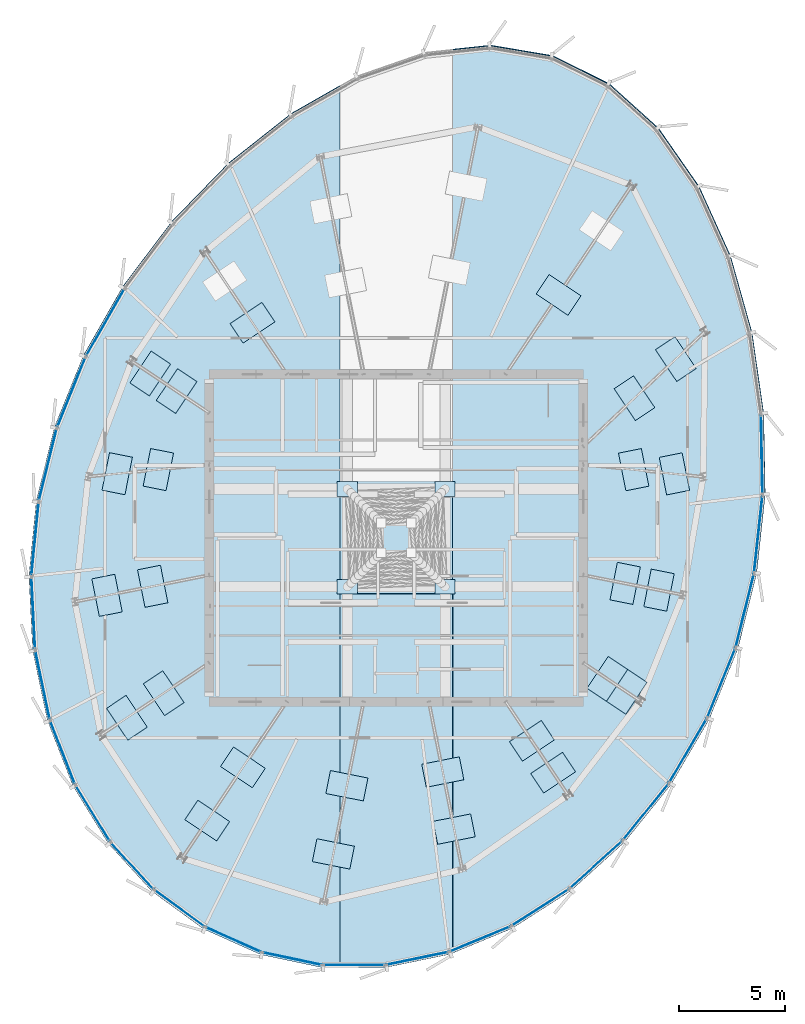
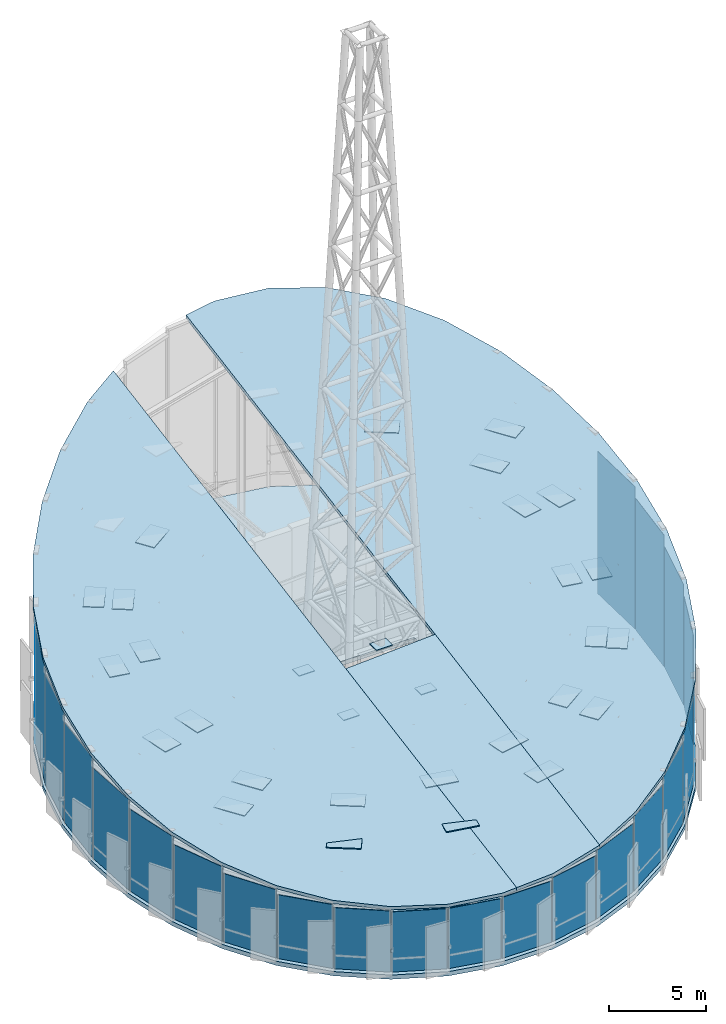
# One storey, part 24 of 36: 53 plates, 4 slabs, 23 elements without a shape of their own.
"""IFC4 building model written with IfcOpenShell, lengths in metres."""

from ifc_helpers import new_model, si_unit, direction, frame, origin, origin_2d, place, context, subcontext, project, spatial, polyline, rectangle, outline, extrude, source, transform, mapped, material, layer, layer_set, type_object, element, aggregate, save


model = new_model("IFC4")

# Units and contexts
model_context = context("Model", 3, precision=1e-05, world=origin(), true_north=direction((0.0, 1.0)))
body_context = subcontext(model_context, "Body", "Model", "MODEL_VIEW")
ifc_project = project(units=[si_unit("LENGTHUNIT", "METRE"), si_unit("AREAUNIT", "SQUARE_METRE"), si_unit("VOLUMEUNIT", "CUBIC_METRE"), si_unit("PLANEANGLEUNIT", "RADIAN"), si_unit("MASSUNIT", "GRAM", prefix="KILO"), si_unit("THERMODYNAMICTEMPERATUREUNIT", "KELVIN")], contexts=[model_context])

# Site, building, storey
site_placement = place(None, origin())
site = spatial("IfcSite", under=ifc_project, at=site_placement, CompositionType="ELEMENT")
building_placement = place(site_placement, origin())
building = spatial("IfcBuilding", under=site, at=building_placement, Name="Kethvar Cultural Tower", CompositionType="ELEMENT")
storey_placement = place(building_placement, frame((0.0, 0.0, 324.300048828125)))
storey = spatial("IfcBuildingStorey", under=building, at=storey_placement, Name="L86", CompositionType="ELEMENT", Elevation=324.300048828125)

# Slabs
ifc_material_1 = material(Name="Concrete C45/55", Category="concrete")
ifc_layer_1 = layer(ifc_material_1, 0.264892578125, Name="Concrete C45/55", Category="concrete")
ifc_layer_set_1 = layer_set([ifc_layer_1], Name="Concrete C45/55 (265 mm)")
slab_type_1 = type_object("IfcSlabType", Name="SL-CRN-265", PredefinedType="FLOOR", material=ifc_layer_set_1)
slab_1_placement = place(storey_placement, frame((0.0, 0.0, -0.26513671875)))
element("IfcSlab", 1, at=slab_1_placement, inside=storey, type_object=slab_type_1, Name="L86 Structural Floor Slab", PredefinedType="FLOOR", context=body_context, shape_type="SweptSolid", body=[
    extrude(outline(polyline([(54.158935546875, 50.44873046875), (51.234130859375, 50.943359375), (48.135498046875, 50.614013671875), (44.970947265625, 49.513916015625), (41.85693359375, 47.73828125), (38.910400390625, 45.410400390625), (36.2412109375, 42.6630859375), (33.943603515625, 39.62060546875), (32.0908203125, 36.385498046875), (30.72802734375, 33.022216796875), (29.8662109375, 29.538330078125), (29.5185546875, 26.001708984375), (29.6962890625, 22.519775390625), (30.3935546875, 19.1982421875), (31.58935546875, 16.13818359375), (33.247314453125, 13.432373046875), (35.317138671875, 11.1630859375), (37.73583984375, 9.3994140625), (40.429931640625, 8.194580078125), (43.3173828125, 7.585693359375), (46.310791015625, 7.591064453125), (49.3193359375, 8.210205078125), (52.2509765625, 9.4248046875), (55.01708984375, 11.197509765625), (57.53369140625, 13.474853515625), (59.723876953125, 16.1875), (61.521484375, 19.252685546875), (62.871826171875, 22.577880859375), (63.746337890625, 26.099853515625), (64.14892578125, 29.806396484375), (64.07861328125, 33.6181640625), (63.533935546875, 37.409912109375), (62.5185546875, 41.02490234375), (61.042724609375, 44.291748046875), (59.12939453125, 47.0419921875), (56.81591796875, 49.129638671875), (54.158935546875, 50.44873046875)]), holes=[polyline([(38.489990234375, 21.85009765625), (38.489990234375, 27.699951171875), (41.35009765625, 27.699951171875), (41.35009765625, 21.85009765625), (38.489990234375, 21.85009765625)]), polyline([(52.25, 21.85009765625), (52.25, 27.699951171875), (55.110107421875, 27.699951171875), (55.110107421875, 21.85009765625), (52.25, 21.85009765625)]), polyline([(53.89990234375, 32.14990234375), (48.050048828125, 32.14990234375), (48.050048828125, 35.010009765625), (53.89990234375, 35.010009765625), (53.89990234375, 32.14990234375)]), polyline([(38.550048828125, 30.89990234375), (41.050048828125, 30.89990234375), (41.050048828125, 28.10009765625), (38.550048828125, 28.10009765625), (38.550048828125, 30.89990234375)]), polyline([(52.550048828125, 30.89990234375), (55.050048828125, 30.89990234375), (55.050048828125, 28.10009765625), (52.550048828125, 28.10009765625), (52.550048828125, 30.89990234375)]), polyline([(46.050048828125, 21.35009765625), (46.75, 21.35009765625), (46.75, 20.60009765625), (46.050048828125, 20.60009765625), (46.050048828125, 21.35009765625)]), polyline([(46.85009765625, 21.35009765625), (47.550048828125, 21.35009765625), (47.550048828125, 20.60009765625), (46.85009765625, 20.60009765625), (46.85009765625, 21.35009765625)])]), origin(), (0.0, 0.0, 1.0), 0.26513671875),
])
ifc_material_2 = material(Name="Concrete C40/50", Category="concrete")
ifc_layer_2 = layer(ifc_material_2, 0.235107421875, Name="Concrete C40/50", Category="concrete")
ifc_layer_set_2 = layer_set([ifc_layer_2], Name="Concrete C40/50 (235 mm)")
slab_type_2 = type_object("IfcSlabType", Name="SL-ROOF-SLOP", PredefinedType="ROOF", material=ifc_layer_set_2)
slab_2_placement = place(storey_placement, frame((51.234130859375, 50.943359375, 12.37548828125), z_axis=(-0.056223727483, -0.173009910396, 0.983314020734), x_axis=(0.985638160697, -0.166694122931, 0.027027496315)))
element("IfcSlab", 2, at=slab_2_placement, inside=storey, type_object=slab_type_2, Name="Crown Sloped Glass-Clad Roof Sector E", PredefinedType="ROOF", context=body_context, shape_type="SweptSolid", body=[
    extrude(outline(polyline([(0.0, 0.0), (2.9674151555190234, -6.418476861114186e-17), (5.8039589617391725, -0.8717743357035191), (8.425853780343822, -2.5721815526963288), (10.760032340124498, -5.004576318997361), (12.745974356790796, -8.028970265347667), (14.333751433160252, -11.480355917102113), (15.48547959035361, -15.188728598839003), (16.17216099640184, -18.99760474692016), (16.374969057936124, -22.78113452548836), (16.08200936638314, -26.45968111682652), (15.287449720388596, -30.02166567258249), (14.00925358290831, -33.39883147862885), (12.286420233144945, -36.48918133727179), (10.170866839944974, -39.19850223688513), (7.727277419900266, -41.44430035315059), (5.15006025598745, -43.082313063333224), (-1.7305963391879988, -0.4926238224771536), (0.0, 0.0)])), origin(), (0.0, 0.0, -1.0), 0.235107421875),
])
slab_3_placement = place(storey_placement, frame((43.3173828125, 7.585693359375, 4.294189453125), z_axis=(-0.056206540987, -0.173011262605, 0.983314765353), x_axis=(-0.978292204206, 0.206299177869, -0.019621732853)))
element("IfcSlab", 3, at=slab_3_placement, inside=storey, type_object=slab_type_2, Name="Crown Sloped Glass-Clad Roof Sector W", PredefinedType="ROOF", context=body_context, shape_type="SweptSolid", body=[
    extrude(outline(polyline([(0.0, 0.0), (2.9515191404875334, 3.469446951953614e-18), (5.834549063707997, -0.6334365939248794), (8.561212346504115, -1.880667999411853), (11.048743486893793, -3.7041233451979596), (13.221435625655303, -6.048280680607771), (15.013344140271233, -8.841815079119417), (16.370020504005414, -12.000073988460258), (17.250393834753776, -15.4269453277265), (17.62728754432753, -19.018433059363463), (17.48990571476442, -22.66535403293712), (16.837397896704292, -26.29737375440617), (15.678988906684795, -29.90465876630492), (14.04583594486719, -33.413654579817454), (11.988878270523795, -36.70693755816731), (9.575208692094048, -39.641086949501386), (7.594640130739942, -41.42284444972442), (-0.8150841017858701, -0.17612096605756844), (0.0, 0.0)])), origin(), (0.0, 0.0, -1.0), 0.235107421875),
])
slab_4_placement = place(storey_placement, frame((49.3193359375, 8.210205078125, 4.747314453125), z_axis=(-0.056210512869, -0.173006266283, 0.983315417386), x_axis=(-0.97540242804, -0.20073673789, -0.091076151841)))
element("IfcSlab", 4, at=slab_4_placement, inside=storey, type_object=slab_type_2, Name="Crown Sloped Glass-Clad Roof Sector S", PredefinedType="ROOF", context=body_context, shape_type="SweptSolid", body=[
    extrude(outline(polyline([(0.0, 0.0), (3.0844192233398284, 2.7755575615628914e-17), (5.204257221308368, -0.43724638532352766), (1.3973359401960774, -17.858669268540243), (-3.7999386727835005, -16.776703391678748), (-0.13981643293218066, -0.027074227757432127), (0.0, 0.0)])), origin(), (0.0, 0.0, -1.0), 0.235107421875),
])

# Plates
ifc_material_3 = material(Name="Insulated Laminated Skylight Glass", Category="glass")
ifc_layer_3 = layer(ifc_material_3, 0.06005859375, Name="Insulated Laminated Skylight Glass", Category="glass")
ifc_layer_set_3 = layer_set([ifc_layer_3], Name="Insulated Laminated Skylight Glass (60 mm)")
plate_type_1 = type_object("IfcPlateType", Name="PL-CROWN-GLAZ", PredefinedType="SHEET", material=ifc_layer_set_3)
shared_shape_1 = source(origin(), body_context, "Body", "SweptSolid", [
    extrude(rectangle(XDim=1.10009765625, YDim=1.800048828125, at=origin_2d()), origin(), (0.0, 0.0, 1.0), 0.06005859375),
])
for number, where, z_axis, x_axis, name in (
    (5, (57.967529296875, 31.007080078125, 9.20751953125), (0.0, 0.0, 1.0), (0.980785280403, 0.195090322016, 0.0), "Sloped Crown Glass Roof Cassette GLZ-01-IN"),
    (6, (59.884033203125, 30.810546875, 9.28271484375), (0.0, 0.0, 1.0), (0.980785280403, 0.195090322016, 0.0), "Sloped Crown Glass Roof Cassette GLZ-01-OUT"),
    (7, (58.0048828125, 34.370361328125, 9.801513671875), (0.0, 0.0, 1.0), (0.831469612303, 0.55557023302, 0.0), "Sloped Crown Glass Roof Cassette GLZ-02-IN"),
    (8, (59.95166015625, 36.20849609375, 10.236328125), (0.0, 0.0, 1.0), (0.831469612303, 0.55557023302, 0.0), "Sloped Crown Glass Roof Cassette GLZ-02-OUT"),
    (9, (54.435791015625, 39.2275390625, 10.451904296875), (0.0, 0.0, 1.0), (0.55557023302, 0.831469612303, 0.0), "Sloped Crown Glass Roof Cassette GLZ-03-IN"),
    (10, (40.039794921875, 37.917236328125, 9.3984375), (0.0, 0.0, 1.0), (-0.55557023302, 0.831469612303, 0.0), "Sloped Crown Glass Roof Cassette GLZ-06-IN"),
    (11, (36.469482421875, 34.70263671875, 8.62890625), (0.0, 0.0, 1.0), (-0.831469612303, 0.55557023302, 0.0), "Sloped Crown Glass Roof Cassette GLZ-07-IN"),
    (12, (35.23046875, 35.530517578125, 8.70361328125), (0.0, 0.0, 1.0), (-0.831469612303, 0.55557023302, 0.0), "Sloped Crown Glass Roof Cassette GLZ-07-OUT"),
    (13, (35.611083984375, 31.011474609375, 7.930419921875), (0.0, 0.0, 1.0), (-0.980785280403, 0.195090322016, 0.0), "Sloped Crown Glass Roof Cassette GLZ-08-IN"),
    (14, (33.677490234375, 30.818115234375, 7.78564453125), (0.0, 0.0, 1.0), (-0.980785280403, 0.195090322016, 0.0), "Sloped Crown Glass Roof Cassette GLZ-08-OUT"),
    (15, (35.346923828125, 25.521728515625, 6.94921875), (0.0, 0.0, 1.0), (-0.980785280403, -0.195090322016, 0.0), "Sloped Crown Glass Roof Cassette GLZ-09-IN"),
    (16, (33.19921875, 25.094482421875, 6.75146484375), (0.0, 0.0, 1.0), (-0.980785280403, -0.195090322016, 0.0), "Sloped Crown Glass Roof Cassette GLZ-09-OUT"),
    (17, (35.86328125, 20.492431640625, 6.093994140625), (0.0, 0.0, 1.0), (-0.831469612303, -0.55557023302, 0.0), "Sloped Crown Glass Roof Cassette GLZ-10-IN"),
    (18, (34.1337890625, 19.3369140625, 5.791748046875), (0.0, 0.0, 1.0), (-0.831469612303, -0.55557023302, 0.0), "Sloped Crown Glass Roof Cassette GLZ-10-OUT"),
    (19, (39.5869140625, 17.0048828125, 5.693115234375), (0.0, 0.0, 1.0), (-0.55557023302, -0.831469612303, 0.0), "Sloped Crown Glass Roof Cassette GLZ-11-IN"),
    (20, (37.912841796875, 14.49951171875, 5.15673828125), (0.0, 0.0, 1.0), (-0.55557023302, -0.831469612303, 0.0), "Sloped Crown Glass Roof Cassette GLZ-11-OUT"),
    (21, (44.480712890625, 16.139892578125, 5.82080078125), (0.0, 0.0, 1.0), (-0.195090322016, -0.980785280403, 0.0), "Sloped Crown Glass Roof Cassette GLZ-12-IN"),
    (22, (43.843017578125, 12.93408203125, 5.22021484375), (0.0, 0.0, 1.0), (-0.195090322016, -0.980785280403, 0.0), "Sloped Crown Glass Roof Cassette GLZ-12-OUT"),
    (23, (48.990966796875, 16.784912109375, 6.192138671875), (0.0, 0.0, 1.0), (0.195090322016, -0.980785280403, 0.0), "Sloped Crown Glass Roof Cassette GLZ-13-IN"),
    (24, (49.52490234375, 14.101318359375, 5.75048828125), (0.0, 0.0, 1.0), (0.195090322016, -0.980785280403, 0.0), "Sloped Crown Glass Roof Cassette GLZ-13-OUT"),
    (25, (53.1796875, 18.251953125, 6.689697265625), (0.0, 0.0, 1.0), (0.55557023302, -0.831469612303, 0.0), "Sloped Crown Glass Roof Cassette GLZ-14-IN"),
    (26, (54.17919921875, 16.756103515625, 6.483642578125), (0.0, 0.0, 1.0), (0.55557023302, -0.831469612303, 0.0), "Sloped Crown Glass Roof Cassette GLZ-14-OUT"),
    (27, (56.728515625, 21.166015625, 7.4052734375), (0.0, 0.0, 1.0), (0.831469612303, -0.55557023302, 0.0), "Sloped Crown Glass Roof Cassette GLZ-15-IN"),
    (28, (57.64208984375, 20.555419921875, 7.35009765625), (0.0, 0.0, 1.0), (0.831469612303, -0.55557023302, 0.0), "Sloped Crown Glass Roof Cassette GLZ-15-OUT"),
    (29, (57.567138671875, 25.658203125, 8.24365234375), (0.0, 0.0, 1.0), (0.980785280403, -0.195090322016, 0.0), "Sloped Crown Glass Roof Cassette GLZ-16-IN"),
    (30, (59.159423828125, 25.341552734375, 8.27880859375), (0.0, 0.0, 1.0), (0.980785280403, -0.195090322016, 0.0), "Sloped Crown Glass Roof Cassette GLZ-16-OUT"),
):
    element("IfcPlate", number, at=place(storey_placement, frame(where, z_axis=z_axis, x_axis=x_axis)), inside=storey, type_object=plate_type_1, Name=name, PredefinedType="SHEET", context=body_context, shape_type="MappedRepresentation", body=[
        mapped(shared_shape_1, transform((0.0, 0.0, 0.0), scale=1.0)),
    ])
ifc_material_4 = material(Name="Steel S460M", Category="steel")
ifc_layer_4 = layer(ifc_material_4, 0.050048828125, Name="Steel S460M", Category="steel")
ifc_layer_set_4 = layer_set([ifc_layer_4], Name="Steel S460M (50 mm)")
plate_type_2 = type_object("IfcPlateType", Name="PL-MAST-BASE", PredefinedType="USERDEFINED", material=ifc_layer_set_4)
shared_shape_2 = source(origin(), body_context, "Body", "SweptSolid", [
    extrude(rectangle(XDim=0.949951171875, YDim=0.699951171875, at=origin_2d()), origin(), (0.0, 0.0, 1.0), 0.050048828125),
])
for number, where, z_axis, x_axis, name in (
    (31, (44.5, 25.5, 4.1796875), (0.0, 0.0, 1.0), (1.0, 0.0, 0.0), "Broadcast Mast Baseplate MBP-01"),
    (32, (49.10009765625, 25.5, 4.1796875), (0.0, 0.0, 1.0), (1.0, 0.0, 0.0), "Broadcast Mast Baseplate MBP-02"),
    (33, (49.10009765625, 30.10009765625, 4.1796875), (0.0, 0.0, 1.0), (1.0, 0.0, 0.0), "Broadcast Mast Baseplate MBP-03"),
    (34, (44.5, 30.10009765625, 4.1796875), (0.0, 0.0, 1.0), (1.0, 0.0, 0.0), "Broadcast Mast Baseplate MBP-04"),
):
    element("IfcPlate", number, at=place(storey_placement, frame(where, z_axis=z_axis, x_axis=x_axis)), inside=storey, type_object=plate_type_2, Name=name, ObjectType="BASE_PLATE", PredefinedType="USERDEFINED", context=body_context, shape_type="MappedRepresentation", body=[
        mapped(shared_shape_2, transform((0.0, 0.0, 0.0), scale=1.0)),
    ])

# Curtain wall, plate
ifc_material_5 = material(Name="Aluminium 6063-T6", Category="aluminium")
ifc_layer_5 = layer(ifc_material_5, 0.179931640625, Name="Aluminium 6063-T6", Category="aluminium")
ifc_layer_set_5 = layer_set([ifc_layer_5], Name="Aluminium 6063-T6 (180 mm)")
curtain_wall_type = type_object("IfcCurtainWallType", Name="CW-SYS-06-CROWN", PredefinedType="NOTDEFINED", material=ifc_layer_set_5)
curtain_wall_1_placement = place(storey_placement, origin())
curtain_wall_1 = element("IfcCurtainWall", 35, at=curtain_wall_1_placement, inside=storey, type_object=curtain_wall_type, Name="L86 Curtain Wall Run 30", PredefinedType="NOTDEFINED")
ifc_material_6 = material(Name="Insulated Low-E Solar Glass", Category="glass")
ifc_layer_6 = layer(ifc_material_6, 0.033935546875, Name="Insulated Low-E Solar Glass", Category="glass")
ifc_layer_set_6 = layer_set([ifc_layer_6], Name="Insulated Low-E Solar Glass (34 mm)")
plate_type_3 = type_object("IfcPlateType", Name="CW-SYS-06-CROWN-PNL", PredefinedType="CURTAIN_PANEL", material=ifc_layer_set_6)
shared_shape_3 = source(origin(), body_context, "Body", "SweptSolid", [
    extrude(rectangle(XDim=3.71875, YDim=0.033935546875, at=origin_2d()), origin(), (0.0, 0.0, 1.0), 8.934814453125),
])
plate_1_placement = place(storey_placement, frame((63.993896484375, 31.710205078125, 0.10986328125), z_axis=(0.0, 0.0, 1.0), x_axis=(-0.018464534112, 0.999829515958, 0.0)))
plate_1 = element("IfcPlate", 36, at=plate_1_placement, type_object=plate_type_3, Name="CW-L86-R30 Vision Glazing Panel 1", PredefinedType="CURTAIN_PANEL", context=body_context, shape_type="MappedRepresentation", body=[
    mapped(shared_shape_3, transform((0.0, 0.0, 0.0), scale=1.0)),
])
aggregate(curtain_wall_1, [plate_1])

curtain_wall_2_placement = place(storey_placement, origin())
curtain_wall_2 = element("IfcCurtainWall", 37, at=curtain_wall_2_placement, inside=storey, type_object=curtain_wall_type, Name="L86 Curtain Wall Run 08", PredefinedType="NOTDEFINED")
shared_shape_4 = source(origin(), body_context, "Body", "SweptSolid", [
    extrude(rectangle(XDim=3.634765625, YDim=0.033935546875, at=origin_2d()), origin(), (0.0, 0.0, 1.0), 8.259765625),
])
plate_2_placement = place(storey_placement, frame((33.121337890625, 37.943359375, 0.10986328125), z_axis=(0.0, 0.0, 1.0), x_axis=(-0.496958815588, -0.867774127069, 0.0)))
plate_2 = element("IfcPlate", 38, at=plate_2_placement, type_object=plate_type_3, Name="CW-L86-R08 Vision Glazing Panel 1", PredefinedType="CURTAIN_PANEL", context=body_context, shape_type="MappedRepresentation", body=[
    mapped(shared_shape_4, transform((0.0, 0.0, 0.0), scale=1.0)),
])
aggregate(curtain_wall_2, [plate_2])

curtain_wall_3_placement = place(storey_placement, origin())
curtain_wall_3 = element("IfcCurtainWall", 39, at=curtain_wall_3_placement, inside=storey, type_object=curtain_wall_type, Name="L86 Curtain Wall Run 29", PredefinedType="NOTDEFINED")
plate_3_placement = place(storey_placement, frame((63.828369140625, 27.966064453125, 0.10986328125), z_axis=(0.0, 0.0, 1.0), x_axis=(0.108016706897, 0.994149078877, 0.0)))
plate_3 = element("IfcPlate", 40, at=plate_3_placement, type_object=plate_type_3, Name="CW-L86-R29 Vision Glazing Panel 1", PredefinedType="CURTAIN_PANEL", context=body_context, shape_type="MappedRepresentation", body=[
    mapped(shared_shape_4, transform((0.0, 0.0, 0.0), scale=1.0)),
])
aggregate(curtain_wall_3, [plate_3])

curtain_wall_4_placement = place(storey_placement, origin())
curtain_wall_4 = element("IfcCurtainWall", 41, at=curtain_wall_4_placement, inside=storey, type_object=curtain_wall_type, Name="L86 Curtain Wall Run 09", PredefinedType="NOTDEFINED")
shared_shape_5 = source(origin(), body_context, "Body", "SweptSolid", [
    extrude(rectangle(XDim=3.535400390625, YDim=0.033935546875, at=origin_2d()), origin(), (0.0, 0.0, 1.0), 7.590087890625),
])
plate_4_placement = place(storey_placement, frame((31.520751953125, 34.65869140625, 0.10986328125), z_axis=(0.0, 0.0, 1.0), x_axis=(-0.37554498116, -0.926804168703, 0.0)))
plate_4 = element("IfcPlate", 42, at=plate_4_placement, type_object=plate_type_3, Name="CW-L86-R09 Vision Glazing Panel 1", PredefinedType="CURTAIN_PANEL", context=body_context, shape_type="MappedRepresentation", body=[
    mapped(shared_shape_5, transform((0.0, 0.0, 0.0), scale=1.0)),
])
aggregate(curtain_wall_4, [plate_4])

curtain_wall_5_placement = place(storey_placement, origin())
curtain_wall_5 = element("IfcCurtainWall", 43, at=curtain_wall_5_placement, inside=storey, type_object=curtain_wall_type, Name="L86 Curtain Wall Run 28", PredefinedType="NOTDEFINED")
plate_5_placement = place(storey_placement, frame((63.192626953125, 24.367919921875, 0.10986328125), z_axis=(0.0, 0.0, 1.0), x_axis=(0.240956489301, 0.9705359191, 0.0)))
plate_5 = element("IfcPlate", 44, at=plate_5_placement, type_object=plate_type_3, Name="CW-L86-R28 Vision Glazing Panel 1", PredefinedType="CURTAIN_PANEL", context=body_context, shape_type="MappedRepresentation", body=[
    mapped(shared_shape_5, transform((0.0, 0.0, 0.0), scale=1.0)),
])
aggregate(curtain_wall_5, [plate_5])

curtain_wall_6_placement = place(storey_placement, origin())
curtain_wall_6 = element("IfcCurtainWall", 45, at=curtain_wall_6_placement, inside=storey, type_object=curtain_wall_type, Name="L86 Curtain Wall Run 10", PredefinedType="NOTDEFINED")
shared_shape_6 = source(origin(), body_context, "Body", "SweptSolid", [
    extrude(rectangle(XDim=3.4951171875, YDim=0.033935546875, at=origin_2d()), origin(), (0.0, 0.0, 1.0), 6.927734375),
])
plate_6_placement = place(storey_placement, frame((30.41357421875, 31.25146484375, 0.10986328125), z_axis=(0.0, 0.0, 1.0), x_axis=(-0.240194157934, -0.970724866527, 0.0)))
plate_6 = element("IfcPlate", 46, at=plate_6_placement, type_object=plate_type_3, Name="CW-L86-R10 Vision Glazing Panel 1", PredefinedType="CURTAIN_PANEL", context=body_context, shape_type="MappedRepresentation", body=[
    mapped(shared_shape_6, transform((0.0, 0.0, 0.0), scale=1.0)),
])
aggregate(curtain_wall_6, [plate_6])

curtain_wall_7_placement = place(storey_placement, origin())
curtain_wall_7 = element("IfcCurtainWall", 47, at=curtain_wall_7_placement, inside=storey, type_object=curtain_wall_type, Name="L86 Curtain Wall Run 27", PredefinedType="NOTDEFINED")
plate_7_placement = place(storey_placement, frame((62.08544921875, 20.96044921875, 0.10986328125), z_axis=(0.0, 0.0, 1.0), x_axis=(0.376256604861, 0.926515497603, 0.0)))
plate_7 = element("IfcPlate", 48, at=plate_7_placement, type_object=plate_type_3, Name="CW-L86-R27 Vision Glazing Panel 1", PredefinedType="CURTAIN_PANEL", context=body_context, shape_type="MappedRepresentation", body=[
    mapped(shared_shape_6, transform((0.0, 0.0, 0.0), scale=1.0)),
])
aggregate(curtain_wall_7, [plate_7])

curtain_wall_8_placement = place(storey_placement, origin())
curtain_wall_8 = element("IfcCurtainWall", 49, at=curtain_wall_8_placement, inside=storey, type_object=curtain_wall_type, Name="L86 Curtain Wall Run 11", PredefinedType="NOTDEFINED")
shared_shape_7 = source(origin(), body_context, "Body", "SweptSolid", [
    extrude(rectangle(XDim=3.4599609375, YDim=0.033935546875, at=origin_2d()), origin(), (0.0, 0.0, 1.0), 6.28564453125),
])
plate_8_placement = place(storey_placement, frame((29.811767578125, 27.75830078125, 0.110107421875), z_axis=(0.0, 0.0, 1.0), x_axis=(-0.097791337557, -0.995206940439, 0.0)))
plate_8 = element("IfcPlate", 50, at=plate_8_placement, type_object=plate_type_3, Name="CW-L86-R11 Vision Glazing Panel 1", PredefinedType="CURTAIN_PANEL", context=body_context, shape_type="MappedRepresentation", body=[
    mapped(shared_shape_7, transform((0.0, 0.0, 0.0), scale=1.0)),
])
aggregate(curtain_wall_8, [plate_8])

curtain_wall_9_placement = place(storey_placement, origin())
curtain_wall_9 = element("IfcCurtainWall", 51, at=curtain_wall_9_placement, inside=storey, type_object=curtain_wall_type, Name="L86 Curtain Wall Run 26", PredefinedType="NOTDEFINED")
plate_9_placement = place(storey_placement, frame((60.519287109375, 17.781005859375, 0.110107421875), z_axis=(0.0, 0.0, 1.0), x_axis=(0.505883219381, 0.862601975623, 0.0)))
plate_9 = element("IfcPlate", 52, at=plate_9_placement, type_object=plate_type_3, Name="CW-L86-R26 Vision Glazing Panel 1", PredefinedType="CURTAIN_PANEL", context=body_context, shape_type="MappedRepresentation", body=[
    mapped(shared_shape_7, transform((0.0, 0.0, 0.0), scale=1.0)),
])
aggregate(curtain_wall_9, [plate_9])

curtain_wall_10_placement = place(storey_placement, origin())
curtain_wall_10 = element("IfcCurtainWall", 53, at=curtain_wall_10_placement, inside=storey, type_object=curtain_wall_type, Name="L86 Curtain Wall Run 12", PredefinedType="NOTDEFINED")
shared_shape_8 = source(origin(), body_context, "Body", "SweptSolid", [
    extrude(rectangle(XDim=3.392822265625, YDim=0.033935546875, at=origin_2d()), origin(), (0.0, 0.0, 1.0), 5.68310546875),
])
plate_10_placement = place(storey_placement, frame((29.727294921875, 24.26708984375, 0.110107421875), z_axis=(0.0, 0.0, 1.0), x_axis=(0.050958986433, -0.998700746821, 0.0)))
plate_10 = element("IfcPlate", 54, at=plate_10_placement, type_object=plate_type_3, Name="CW-L86-R12 Vision Glazing Panel 1", PredefinedType="CURTAIN_PANEL", context=body_context, shape_type="MappedRepresentation", body=[
    mapped(shared_shape_8, transform((0.0, 0.0, 0.0), scale=1.0)),
])
aggregate(curtain_wall_10, [plate_10])

curtain_wall_11_placement = place(storey_placement, origin())
curtain_wall_11 = element("IfcCurtainWall", 55, at=curtain_wall_11_placement, inside=storey, type_object=curtain_wall_type, Name="L86 Curtain Wall Run 25", PredefinedType="NOTDEFINED")
plate_11_placement = place(storey_placement, frame((58.535400390625, 14.906494140625, 0.110107421875), z_axis=(0.0, 0.0, 1.0), x_axis=(0.628221098318, 0.778034865304, 0.0)))
plate_11 = element("IfcPlate", 56, at=plate_11_placement, type_object=plate_type_3, Name="CW-L86-R25 Vision Glazing Panel 1", PredefinedType="CURTAIN_PANEL", context=body_context, shape_type="MappedRepresentation", body=[
    mapped(shared_shape_8, transform((0.0, 0.0, 0.0), scale=1.0)),
])
aggregate(curtain_wall_11, [plate_11])

curtain_wall_12_placement = place(storey_placement, origin())
curtain_wall_12 = element("IfcCurtainWall", 57, at=curtain_wall_12_placement, inside=storey, type_object=curtain_wall_type, Name="L86 Curtain Wall Run 13", PredefinedType="NOTDEFINED")
shared_shape_9 = source(origin(), body_context, "Body", "SweptSolid", [
    extrude(rectangle(XDim=3.30029296875, YDim=0.033935546875, at=origin_2d()), origin(), (0.0, 0.0, 1.0), 5.138671875),
])
plate_12_placement = place(storey_placement, frame((30.162353515625, 20.8837890625, 0.10986328125), z_axis=(0.0, 0.0, 1.0), x_axis=(0.205452683711, -0.97866705, 0.0)))
plate_12 = element("IfcPlate", 58, at=plate_12_placement, type_object=plate_type_3, Name="CW-L86-R13 Vision Glazing Panel 1", PredefinedType="CURTAIN_PANEL", context=body_context, shape_type="MappedRepresentation", body=[
    mapped(shared_shape_9, transform((0.0, 0.0, 0.0), scale=1.0)),
])
aggregate(curtain_wall_12, [plate_12])

curtain_wall_13_placement = place(storey_placement, origin())
curtain_wall_13 = element("IfcCurtainWall", 59, at=curtain_wall_13_placement, inside=storey, type_object=curtain_wall_type, Name="L86 Curtain Wall Run 24", PredefinedType="NOTDEFINED")
plate_13_placement = place(storey_placement, frame((56.19482421875, 12.42529296875, 0.10986328125), z_axis=(0.0, 0.0, 1.0), x_axis=(0.741472482537, 0.670983276722, 0.0)))
plate_13 = element("IfcPlate", 60, at=plate_13_placement, type_object=plate_type_3, Name="CW-L86-R24 Vision Glazing Panel 1", PredefinedType="CURTAIN_PANEL", context=body_context, shape_type="MappedRepresentation", body=[
    mapped(shared_shape_9, transform((0.0, 0.0, 0.0), scale=1.0)),
])
aggregate(curtain_wall_13, [plate_13])

curtain_wall_14_placement = place(storey_placement, origin())
curtain_wall_14 = element("IfcCurtainWall", 61, at=curtain_wall_14_placement, inside=storey, type_object=curtain_wall_type, Name="L86 Curtain Wall Run 14", PredefinedType="NOTDEFINED")
shared_shape_10 = source(origin(), body_context, "Body", "SweptSolid", [
    extrude(rectangle(XDim=3.19189453125, YDim=0.033935546875, at=origin_2d()), origin(), (0.0, 0.0, 1.0), 4.668701171875),
])
plate_14_placement = place(storey_placement, frame((31.103271484375, 17.7119140625, 0.10986328125), z_axis=(0.0, 0.0, 1.0), x_axis=(0.36396661079, -0.931411995966, 0.0)))
plate_14 = element("IfcPlate", 62, at=plate_14_placement, type_object=plate_type_3, Name="CW-L86-R14 Vision Glazing Panel 1", PredefinedType="CURTAIN_PANEL", context=body_context, shape_type="MappedRepresentation", body=[
    mapped(shared_shape_10, transform((0.0, 0.0, 0.0), scale=1.0)),
])
aggregate(curtain_wall_14, [plate_14])

curtain_wall_15_placement = place(storey_placement, origin())
curtain_wall_15 = element("IfcCurtainWall", 63, at=curtain_wall_15_placement, inside=storey, type_object=curtain_wall_type, Name="L86 Curtain Wall Run 23", PredefinedType="NOTDEFINED")
plate_15_placement = place(storey_placement, frame((53.5693359375, 10.412353515625, 0.10986328125), z_axis=(0.0, 0.0, 1.0), x_axis=(0.841925408552, 0.539593927352, 0.0)))
plate_15 = element("IfcPlate", 64, at=plate_15_placement, type_object=plate_type_3, Name="CW-L86-R23 Vision Glazing Panel 1", PredefinedType="CURTAIN_PANEL", context=body_context, shape_type="MappedRepresentation", body=[
    mapped(shared_shape_10, transform((0.0, 0.0, 0.0), scale=1.0)),
])
aggregate(curtain_wall_15, [plate_15])

curtain_wall_16_placement = place(storey_placement, origin())
curtain_wall_16 = element("IfcCurtainWall", 65, at=curtain_wall_16_placement, inside=storey, type_object=curtain_wall_type, Name="L86 Curtain Wall Run 15", PredefinedType="NOTDEFINED")
shared_shape_11 = source(origin(), body_context, "Body", "SweptSolid", [
    extrude(rectangle(XDim=3.07958984375, YDim=0.033935546875, at=origin_2d()), origin(), (0.0, 0.0, 1.0), 4.287353515625),
])
plate_16_placement = place(storey_placement, frame((32.520751953125, 14.847900390625, 0.10986328125), z_axis=(0.0, 0.0, 1.0), x_axis=(0.522453919865, -0.852667521146, 0.0)))
plate_16 = element("IfcPlate", 66, at=plate_16_placement, type_object=plate_type_3, Name="CW-L86-R15 Vision Glazing Panel 1", PredefinedType="CURTAIN_PANEL", context=body_context, shape_type="MappedRepresentation", body=[
    mapped(shared_shape_11, transform((0.0, 0.0, 0.0), scale=1.0)),
])
aggregate(curtain_wall_16, [plate_16])

curtain_wall_17_placement = place(storey_placement, origin())
curtain_wall_17 = element("IfcCurtainWall", 67, at=curtain_wall_17_placement, inside=storey, type_object=curtain_wall_type, Name="L86 Curtain Wall Run 22", PredefinedType="NOTDEFINED")
plate_17_placement = place(storey_placement, frame((50.7392578125, 8.928466796875, 0.10986328125), z_axis=(0.0, 0.0, 1.0), x_axis=(0.923859493987, 0.38273180606, 0.0)))
plate_17 = element("IfcPlate", 68, at=plate_17_placement, type_object=plate_type_3, Name="CW-L86-R22 Vision Glazing Panel 1", PredefinedType="CURTAIN_PANEL", context=body_context, shape_type="MappedRepresentation", body=[
    mapped(shared_shape_11, transform((0.0, 0.0, 0.0), scale=1.0)),
])
aggregate(curtain_wall_17, [plate_17])

curtain_wall_18_placement = place(storey_placement, origin())
curtain_wall_18 = element("IfcCurtainWall", 69, at=curtain_wall_18_placement, inside=storey, type_object=curtain_wall_type, Name="L86 Curtain Wall Run 16", PredefinedType="NOTDEFINED")
shared_shape_12 = source(origin(), body_context, "Body", "SweptSolid", [
    extrude(rectangle(XDim=2.977783203125, YDim=0.033935546875, at=origin_2d()), origin(), (0.0, 0.0, 1.0), 4.00634765625),
])
plate_18_placement = place(storey_placement, frame((34.370849609375, 12.378662109375, 0.10986328125), z_axis=(0.0, 0.0, 1.0), x_axis=(0.673889851172, -0.738831826932, 0.0)))
plate_18 = element("IfcPlate", 70, at=plate_18_placement, type_object=plate_type_3, Name="CW-L86-R16 Vision Glazing Panel 1", PredefinedType="CURTAIN_PANEL", context=body_context, shape_type="MappedRepresentation", body=[
    mapped(shared_shape_12, transform((0.0, 0.0, 0.0), scale=1.0)),
])
aggregate(curtain_wall_18, [plate_18])

curtain_wall_19_placement = place(storey_placement, origin())
curtain_wall_19 = element("IfcCurtainWall", 71, at=curtain_wall_19_placement, inside=storey, type_object=curtain_wall_type, Name="L86 Curtain Wall Run 17", PredefinedType="NOTDEFINED")
shared_shape_13 = source(origin(), body_context, "Body", "SweptSolid", [
    extrude(rectangle(XDim=2.89990234375, YDim=0.033935546875, at=origin_2d()), origin(), (0.0, 0.0, 1.0), 3.834228515625),
])
plate_19_placement = place(storey_placement, frame((36.59716796875, 10.378173828125, 0.10986328125), z_axis=(0.0, 0.0, 1.0), x_axis=(0.808000167191, -0.58918225518, 0.0)))
plate_19 = element("IfcPlate", 72, at=plate_19_placement, type_object=plate_type_3, Name="CW-L86-R17 Vision Glazing Panel 1", PredefinedType="CURTAIN_PANEL", context=body_context, shape_type="MappedRepresentation", body=[
    mapped(shared_shape_13, transform((0.0, 0.0, 0.0), scale=1.0)),
])
aggregate(curtain_wall_19, [plate_19])

curtain_wall_20_placement = place(storey_placement, origin())
curtain_wall_20 = element("IfcCurtainWall", 73, at=curtain_wall_20_placement, inside=storey, type_object=curtain_wall_type, Name="L86 Curtain Wall Run 20", PredefinedType="NOTDEFINED")
plate_20_placement = place(storey_placement, frame((44.81396484375, 7.70849609375, 0.10986328125), z_axis=(0.0, 0.0, 1.0), x_axis=(0.999998476913, 0.001745328366, 0.0)))
plate_20 = element("IfcPlate", 74, at=plate_20_placement, type_object=plate_type_3, Name="CW-L86-R20 Vision Glazing Panel 1", PredefinedType="CURTAIN_PANEL", context=body_context, shape_type="MappedRepresentation", body=[
    mapped(shared_shape_13, transform((0.0, 0.0, 0.0), scale=1.0)),
])
aggregate(curtain_wall_20, [plate_20])

curtain_wall_21_placement = place(storey_placement, origin())
curtain_wall_21 = element("IfcCurtainWall", 75, at=curtain_wall_21_placement, inside=storey, type_object=curtain_wall_type, Name="L86 Curtain Wall Run 18", PredefinedType="NOTDEFINED")
shared_shape_14 = source(origin(), body_context, "Body", "SweptSolid", [
    extrude(rectangle(XDim=2.857666015625, YDim=0.033935546875, at=origin_2d()), origin(), (0.0, 0.0, 1.0), 3.7763671875),
])
plate_21_placement = place(storey_placement, frame((39.1318359375, 8.906494140625, 0.10986328125), z_axis=(0.0, 0.0, 1.0), x_axis=(0.912891182023, -0.408203000706, 0.0)))
plate_21 = element("IfcPlate", 76, at=plate_21_placement, type_object=plate_type_3, Name="CW-L86-R18 Vision Glazing Panel 1", PredefinedType="CURTAIN_PANEL", context=body_context, shape_type="MappedRepresentation", body=[
    mapped(shared_shape_14, transform((0.0, 0.0, 0.0), scale=1.0)),
])
aggregate(curtain_wall_21, [plate_21])

curtain_wall_22_placement = place(storey_placement, origin())
curtain_wall_22 = element("IfcCurtainWall", 77, at=curtain_wall_22_placement, inside=storey, type_object=curtain_wall_type, Name="L86 Curtain Wall Run 19", PredefinedType="NOTDEFINED")
shared_shape_15 = source(origin(), body_context, "Body", "SweptSolid", [
    extrude(rectangle(XDim=2.857421875, YDim=0.033935546875, at=origin_2d()), origin(), (0.0, 0.0, 1.0), 3.7763671875),
])
plate_22_placement = place(storey_placement, frame((41.8984375, 8.0078125, 0.10986328125), z_axis=(0.0, 0.0, 1.0), x_axis=(0.978483785205, -0.206323731282, 0.0)))
plate_22 = element("IfcPlate", 78, at=plate_22_placement, type_object=plate_type_3, Name="CW-L86-R19 Vision Glazing Panel 1", PredefinedType="CURTAIN_PANEL", context=body_context, shape_type="MappedRepresentation", body=[
    mapped(shared_shape_15, transform((0.0, 0.0, 0.0), scale=1.0)),
])
aggregate(curtain_wall_22, [plate_22])

curtain_wall_23_placement = place(storey_placement, origin())
curtain_wall_23 = element("IfcCurtainWall", 79, at=curtain_wall_23_placement, inside=storey, type_object=curtain_wall_type, Name="L86 Curtain Wall Run 21", PredefinedType="NOTDEFINED")
shared_shape_16 = source(origin(), body_context, "Body", "SweptSolid", [
    extrude(rectangle(XDim=2.97802734375, YDim=0.033935546875, at=origin_2d()), origin(), (0.0, 0.0, 1.0), 4.00634765625),
])
plate_23_placement = place(storey_placement, frame((47.791015625, 8.018310546875, 0.10986328125), z_axis=(0.0, 0.0, 1.0), x_axis=(0.97946279373, 0.201624987785, 0.0)))
plate_23 = element("IfcPlate", 80, at=plate_23_placement, type_object=plate_type_3, Name="CW-L86-R21 Vision Glazing Panel 1", PredefinedType="CURTAIN_PANEL", context=body_context, shape_type="MappedRepresentation", body=[
    mapped(shared_shape_16, transform((0.0, 0.0, 0.0), scale=1.0)),
])
aggregate(curtain_wall_23, [plate_23])

save(model, "model.ifc")
